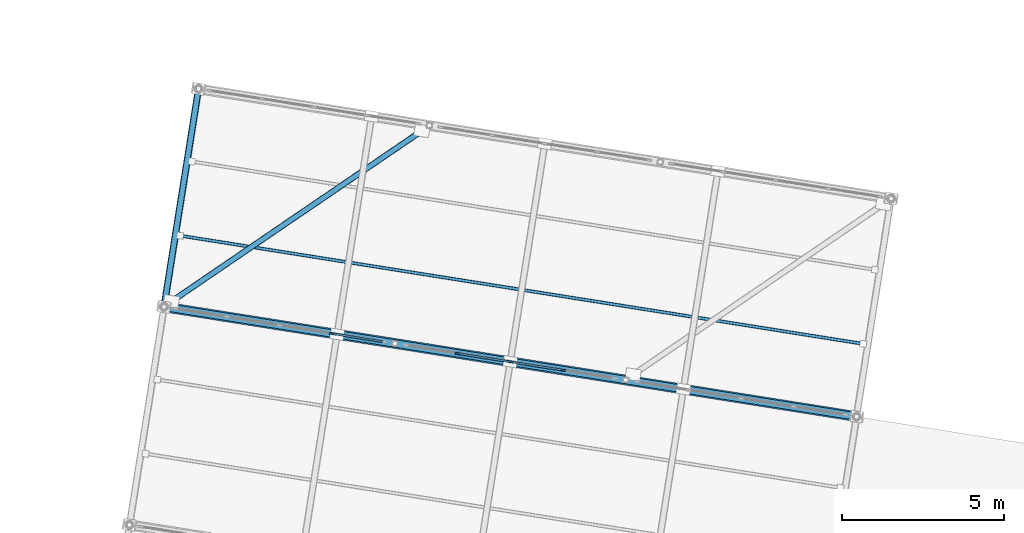
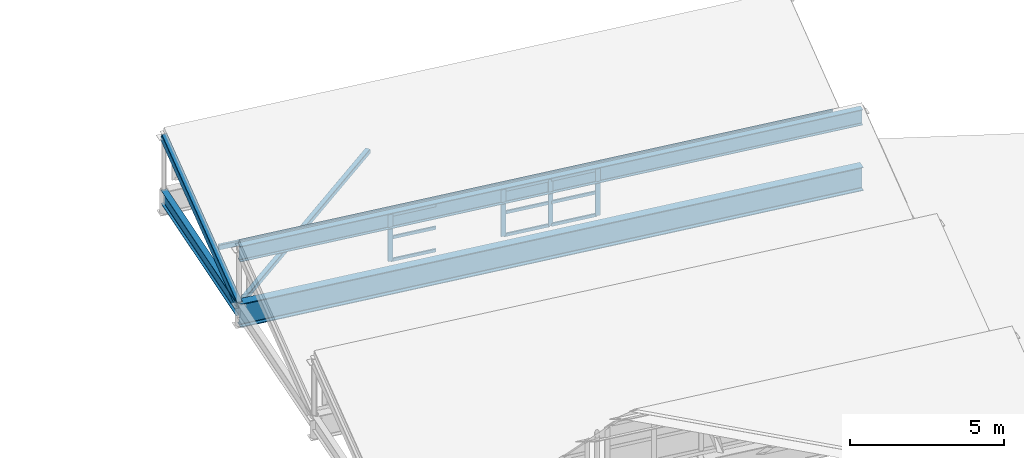
# One storey, part 45 of 65: 16 members, 3 beams, 2 elements without a shape of their own.
"""IFC4 building model written with IfcOpenShell, lengths in metres."""

from ifc_helpers import new_model, si_unit, direction, frame, origin, origin_2d, place, context, subcontext, project, spatial, rectangle, hollow_rectangle, i_section, extrude, material, material_profile, profile_set, type_object, element, aggregate, save


model = new_model("IFC4")

# Units and contexts
model_context = context("Model", 3, precision=1e-05, world=origin(), true_north=direction((0.0, 1.0)))
body_context = subcontext(model_context, "Body", "Model", "MODEL_VIEW")
ifc_project = project(units=[si_unit("LENGTHUNIT", "METRE"), si_unit("AREAUNIT", "SQUARE_METRE"), si_unit("VOLUMEUNIT", "CUBIC_METRE"), si_unit("PLANEANGLEUNIT", "RADIAN"), si_unit("MASSUNIT", "GRAM", prefix="KILO")], contexts=[model_context])

# Site, building, storey
site_placement = place(None, origin())
site = spatial("IfcSite", under=ifc_project, at=site_placement, CompositionType="ELEMENT")
building_placement = place(site_placement, origin())
building = spatial("IfcBuilding", under=site, at=building_placement, Name="Cinderway Yard Community Centre", CompositionType="ELEMENT")
storey_placement = place(building_placement, frame((0.0, 0.0, 24.300048828125)))
storey = spatial("IfcBuildingStorey", under=building, at=storey_placement, Name="RF", CompositionType="ELEMENT", Elevation=24.300048828125)

# Curtain wall, member
ifc_material_1 = material(Name="Aluminium 6063-T6", Category="aluminium")
curtain_wall_type = type_object("IfcCurtainWallType", Name="ENV-CW-TYPE-23", PredefinedType="USERDEFINED", material=ifc_material_1)
curtain_wall_1_placement = place(storey_placement, origin())
curtain_wall_1 = element("IfcCurtainWall", 1, at=curtain_wall_1_placement, inside=storey, type_object=curtain_wall_type, Name="Sawtooth North-Light Clerestory ENV-CW-RF-ST-0084", ObjectType="GLAZED CURTAIN WALL", PredefinedType="USERDEFINED")
ifc_material_profile_1 = material_profile(ifc_material_1, rectangle(XDim=0.06005859375, YDim=0.159912109375, at=origin_2d()), Name="Aluminium 6063-T6")
ifc_profile_set_1 = profile_set([ifc_material_profile_1], Name="Aluminium 6063-T6")
member_type_1 = type_object("IfcMemberType", Name="ENV-CW-MULL-150", PredefinedType="MULLION", material=ifc_profile_set_1)
member_1_placement = place(storey_placement, frame((128.494140625, 70.761474609375, -10.199951171875), z_axis=(0.0, 0.0, 1.0), x_axis=(0.15640876877, 0.987692410142, 0.0)))
member_1 = element("IfcMember", 2, at=member_1_placement, type_object=member_type_1, Name="CW-23 mullion 4", PredefinedType="MULLION", context=body_context, shape_type="SweptSolid", body=[
    extrude(rectangle(XDim=0.06005859375, YDim=0.159912109375, at=origin_2d()), origin(), (0.0, 0.0, 1.0), 1.849853515625),
])

# Curtain wall, members
curtain_wall_2_placement = place(storey_placement, origin())
curtain_wall_2 = element("IfcCurtainWall", 3, at=curtain_wall_2_placement, inside=storey, type_object=curtain_wall_type, Name="Sawtooth North-Light Clerestory ENV-CW-RF-ST-0085", ObjectType="GLAZED CURTAIN WALL", PredefinedType="USERDEFINED")
member_2_placement = place(storey_placement, frame((132.36572265625, 70.1484375, -10.199951171875), z_axis=(0.0, 0.0, 1.0), x_axis=(0.15640876877, 0.987692410142, 0.0)))
member_2 = element("IfcMember", 4, at=member_2_placement, type_object=member_type_1, Name="CW-23 mullion 2", PredefinedType="MULLION", context=body_context, shape_type="SweptSolid", body=[
    extrude(rectangle(XDim=0.06005859375, YDim=0.159912109375, at=origin_2d()), origin(), (0.0, 0.0, 1.0), 1.849853515625),
])
member_3_placement = place(storey_placement, frame((133.985595703125, 69.89208984375, -10.199951171875), z_axis=(0.0, 0.0, 1.0), x_axis=(0.15640876877, 0.987692410142, 0.0)))
member_3 = element("IfcMember", 5, at=member_3_placement, type_object=member_type_1, Name="CW-23 mullion 3", PredefinedType="MULLION", context=body_context, shape_type="SweptSolid", body=[
    extrude(rectangle(XDim=0.06005859375, YDim=0.159912109375, at=origin_2d()), origin(), (0.0, 0.0, 1.0), 1.849853515625),
])
member_4_placement = place(storey_placement, frame((135.605224609375, 69.635498046875, -10.199951171875), z_axis=(0.0, 0.0, 1.0), x_axis=(0.15640876877, 0.987692410142, 0.0)))
member_4 = element("IfcMember", 6, at=member_4_placement, type_object=member_type_1, Name="CW-23 mullion 4", PredefinedType="MULLION", context=body_context, shape_type="SweptSolid", body=[
    extrude(rectangle(XDim=0.06005859375, YDim=0.159912109375, at=origin_2d()), origin(), (0.0, 0.0, 1.0), 1.849853515625),
])

# Member
ifc_material_profile_2 = material_profile(ifc_material_1, rectangle(XDim=0.06005859375, YDim=0.1201171875, at=origin_2d()), Name="Aluminium 6063-T6")
ifc_profile_set_2 = profile_set([ifc_material_profile_2], Name="Aluminium 6063-T6")
member_type_2 = type_object("IfcMemberType", Name="ENV-CW-TRAN-110", PredefinedType="USERDEFINED", material=ifc_profile_set_2)
member_5_placement = place(storey_placement, frame((128.52392578125, 70.7568359375, -10.170166015625), z_axis=(0.987690055006, -0.15642364029, 0.0), x_axis=(0.15642364029, 0.987690055006, 0.0)))
member_5 = element("IfcMember", 7, at=member_5_placement, type_object=member_type_2, Name="CW-23 transom 4.1", ObjectType="TRANSOM", PredefinedType="USERDEFINED", context=body_context, shape_type="SweptSolid", body=[
    extrude(rectangle(XDim=0.06005859375, YDim=0.1201171875, at=origin_2d()), origin(), (0.0, 0.0, 1.0), 1.5498046875),
])

member_6_placement = place(storey_placement, frame((128.52392578125, 70.7568359375, -9.280029296875), z_axis=(0.987690055006, -0.15642364029, 0.0), x_axis=(0.15642364029, 0.987690055006, 0.0)))
member_6 = element("IfcMember", 8, at=member_6_placement, type_object=member_type_2, Name="CW-23 transom 4.2", ObjectType="TRANSOM", PredefinedType="USERDEFINED", context=body_context, shape_type="SweptSolid", body=[
    extrude(rectangle(XDim=0.06005859375, YDim=0.1201171875, at=origin_2d()), origin(), (0.0, 0.0, 1.0), 1.5498046875),
])

member_7_placement = place(storey_placement, frame((128.52392578125, 70.7568359375, -8.380126953125), z_axis=(0.987690055006, -0.15642364029, 0.0), x_axis=(0.15642364029, 0.987690055006, 0.0)))
member_7 = element("IfcMember", 9, at=member_7_placement, type_object=member_type_2, Name="CW-23 transom 4.3", ObjectType="TRANSOM", PredefinedType="USERDEFINED", context=body_context, shape_type="SweptSolid", body=[
    extrude(rectangle(XDim=0.06005859375, YDim=0.1201171875, at=origin_2d()), origin(), (0.0, 0.0, 1.0), 1.5498046875),
])

aggregate(curtain_wall_1, [member_1, member_5, member_6, member_7])

member_8_placement = place(storey_placement, frame((132.395263671875, 70.143798828125, -10.170166015625), z_axis=(0.987697729788, -0.156375172488, 0.0), x_axis=(0.156375172488, 0.987697729788, 0.0)))
member_8 = element("IfcMember", 10, at=member_8_placement, type_object=member_type_2, Name="CW-23 transom 2.1", ObjectType="TRANSOM", PredefinedType="USERDEFINED", context=body_context, shape_type="SweptSolid", body=[
    extrude(rectangle(XDim=0.06005859375, YDim=0.1201171875, at=origin_2d()), origin(), (0.0, 0.0, 1.0), 1.580078125),
])

member_9_placement = place(storey_placement, frame((132.395263671875, 70.143798828125, -9.280029296875), z_axis=(0.987697729788, -0.156375172488, 0.0), x_axis=(0.156375172488, 0.987697729788, 0.0)))
member_9 = element("IfcMember", 11, at=member_9_placement, type_object=member_type_2, Name="CW-23 transom 2.2", ObjectType="TRANSOM", PredefinedType="USERDEFINED", context=body_context, shape_type="SweptSolid", body=[
    extrude(rectangle(XDim=0.06005859375, YDim=0.1201171875, at=origin_2d()), origin(), (0.0, 0.0, 1.0), 1.580078125),
])

member_10_placement = place(storey_placement, frame((132.395263671875, 70.143798828125, -8.380126953125), z_axis=(0.987697729788, -0.156375172488, 0.0), x_axis=(0.156375172488, 0.987697729788, 0.0)))
member_10 = element("IfcMember", 12, at=member_10_placement, type_object=member_type_2, Name="CW-23 transom 2.3", ObjectType="TRANSOM", PredefinedType="USERDEFINED", context=body_context, shape_type="SweptSolid", body=[
    extrude(rectangle(XDim=0.06005859375, YDim=0.1201171875, at=origin_2d()), origin(), (0.0, 0.0, 1.0), 1.580078125),
])

member_11_placement = place(storey_placement, frame((134.01513671875, 69.88720703125, -10.170166015625), z_axis=(0.987697729788, -0.156375172488, 0.0), x_axis=(0.156375172488, 0.987697729788, 0.0)))
member_11 = element("IfcMember", 13, at=member_11_placement, type_object=member_type_2, Name="CW-23 transom 3.1", ObjectType="TRANSOM", PredefinedType="USERDEFINED", context=body_context, shape_type="SweptSolid", body=[
    extrude(rectangle(XDim=0.06005859375, YDim=0.1201171875, at=origin_2d()), origin(), (0.0, 0.0, 1.0), 1.580078125),
])

member_12_placement = place(storey_placement, frame((134.01513671875, 69.88720703125, -9.280029296875), z_axis=(0.987697729788, -0.156375172488, 0.0), x_axis=(0.156375172488, 0.987697729788, 0.0)))
member_12 = element("IfcMember", 14, at=member_12_placement, type_object=member_type_2, Name="CW-23 transom 3.2", ObjectType="TRANSOM", PredefinedType="USERDEFINED", context=body_context, shape_type="SweptSolid", body=[
    extrude(rectangle(XDim=0.06005859375, YDim=0.1201171875, at=origin_2d()), origin(), (0.0, 0.0, 1.0), 1.580078125),
])

member_13_placement = place(storey_placement, frame((134.01513671875, 69.88720703125, -8.380126953125), z_axis=(0.987697729788, -0.156375172488, 0.0), x_axis=(0.156375172488, 0.987697729788, 0.0)))
member_13 = element("IfcMember", 15, at=member_13_placement, type_object=member_type_2, Name="CW-23 transom 3.3", ObjectType="TRANSOM", PredefinedType="USERDEFINED", context=body_context, shape_type="SweptSolid", body=[
    extrude(rectangle(XDim=0.06005859375, YDim=0.1201171875, at=origin_2d()), origin(), (0.0, 0.0, 1.0), 1.580078125),
])

aggregate(curtain_wall_2, [member_2, member_3, member_4, member_8, member_9, member_10, member_11, member_12, member_13])

# Beams
ifc_material_2 = material(Name="Steel S355", Category="steel")
ifc_material_profile_3 = material_profile(ifc_material_2, i_section(OverallWidth=0.2109375, OverallDepth=0.5390625, WebThickness=0.010986328125, FlangeThickness=0.017333984375, FilletRadius=0.013916015625, at=origin_2d()), Name="Steel S355")
ifc_profile_set_3 = profile_set([ifc_material_profile_3], Name="Steel S355")
beam_type_1 = type_object("IfcBeamType", Name="STR-BM-W530X109", PredefinedType="BEAM", material=ifc_profile_set_3)
beam_1_placement = place(storey_placement, frame((123.319091796875, 71.5810546875, -10.77001953125), z_axis=(0.156447383815, 0.987686294376, 0.0), x_axis=(-0.987686294376, 0.156447383815, 0.0)))
element("IfcBeam", 16, at=beam_1_placement, inside=storey, type_object=beam_type_1, Name="Sports eave beam W STR-BM-RF-SB06-1025", PredefinedType="BEAM", context=body_context, shape_type="SweptSolid", body=[
    extrude(i_section(OverallWidth=0.2109375, OverallDepth=0.5390625, WebThickness=0.010986328125, FlangeThickness=0.017333984375, FilletRadius=0.013916015625, at=origin_2d()), origin(), (0.0, 0.0, 1.0), 6.80078125),
])
ifc_material_profile_4 = material_profile(ifc_material_2, i_section(OverallWidth=0.22998046875, OverallDepth=0.616943359375, WebThickness=0.011962890625, FlangeThickness=0.01953125, FilletRadius=0.01611328125, at=origin_2d()), Name="Steel S355")
ifc_profile_set_4 = profile_set([ifc_material_profile_4], Name="Steel S355")
beam_type_2 = type_object("IfcBeamType", Name="STR-BM-W610X140", PredefinedType="BEAM", material=ifc_profile_set_4)
beam_2_placement = place(storey_placement, frame((123.319091796875, 71.5810546875, -8.55810546875), z_axis=(0.987687058599, -0.156442559028, 0.0), x_axis=(0.156442559028, 0.987687058599, 0.0)))
element("IfcBeam", 17, at=beam_2_placement, inside=storey, type_object=beam_type_2, Name="Sawtooth apex girder STR-BM-RF-SB05-1024", PredefinedType="BEAM", context=body_context, shape_type="SweptSolid", body=[
    extrude(i_section(OverallWidth=0.22998046875, OverallDepth=0.616943359375, WebThickness=0.011962890625, FlangeThickness=0.01953125, FilletRadius=0.01611328125, at=origin_2d()), origin(), (0.0, 0.0, 1.0), 21.599853515625),
])
ifc_material_profile_5 = material_profile(ifc_material_2, i_section(OverallWidth=0.30908203125, OverallDepth=0.931884765625, WebThickness=0.017333984375, FlangeThickness=0.030029296875, FilletRadius=0.02392578125, at=origin_2d()), Name="Steel S355")
ifc_profile_set_5 = profile_set([ifc_material_profile_5], Name="Steel S355")
beam_type_3 = type_object("IfcBeamType", Name="STR-BM-W920X313", PredefinedType="BEAM", material=ifc_profile_set_5)
beam_3_placement = place(storey_placement, frame((123.319091796875, 71.5810546875, -10.966064453125), z_axis=(0.987687058599, -0.156442559028, 0.0), x_axis=(0.156442559028, 0.987687058599, 0.0)))
element("IfcBeam", 18, at=beam_3_placement, inside=storey, type_object=beam_type_3, Name="Sports Hall clear-span girder 06", PredefinedType="BEAM", context=body_context, shape_type="SweptSolid", body=[
    extrude(i_section(OverallWidth=0.30908203125, OverallDepth=0.931884765625, WebThickness=0.017333984375, FlangeThickness=0.030029296875, FilletRadius=0.02392578125, at=origin_2d()), origin(), (0.0, 0.0, 1.0), 21.599853515625),
])

# Members
ifc_material_profile_6 = material_profile(ifc_material_2, hollow_rectangle(XDim=0.179931640625, YDim=0.179931640625, WallThickness=0.010009765625, InnerFilletRadius=0.010009765625, OuterFilletRadius=0.02001953125, at=origin_2d()), Name="Steel S355")
ifc_profile_set_6 = profile_set([ifc_material_profile_6], Name="Steel S355")
member_type_3 = type_object("IfcMemberType", Name="STR-MEM-BRACE-180", PredefinedType="BRACE", material=ifc_profile_set_6)
member_14_placement = place(storey_placement, frame((123.548095703125, 71.748046875, -10.60009765625), z_axis=(0.826457397814, 0.56299926252, 0.0), x_axis=(-0.56299926252, 0.826457397814, 0.0)))
element("IfcMember", 19, at=member_14_placement, inside=storey, type_object=member_type_3, Name="Roof plane diagonal brace B6-W", PredefinedType="BRACE", context=body_context, shape_type="SweptSolid", body=[
    extrude(hollow_rectangle(XDim=0.179931640625, YDim=0.179931640625, WallThickness=0.010009765625, InnerFilletRadius=0.010009765625, OuterFilletRadius=0.02001953125, at=origin_2d()), origin(), (0.0, 0.0, 1.0), 9.337158203125),
])
ifc_material_profile_7 = material_profile(ifc_material_2, hollow_rectangle(XDim=0.10009765625, YDim=0.199951171875, WallThickness=0.008056640625, InnerFilletRadius=0.008056640625, OuterFilletRadius=0.01611328125, at=origin_2d()), Name="Steel S355")
ifc_profile_set_7 = profile_set([ifc_material_profile_7], Name="Steel S355")
member_type_4 = type_object("IfcMemberType", Name="STR-MEM-PURLIN-200", PredefinedType="PURLIN", material=ifc_profile_set_7)
member_15_placement = place(storey_placement, frame((123.818115234375, 73.77392578125, -9.843994140625), z_axis=(0.98768859846, -0.156432836938, 0.0), x_axis=(0.156432836938, 0.98768859846, 0.0)))
element("IfcMember", 20, at=member_15_placement, inside=storey, type_object=member_type_4, Name="Sawtooth roof purlin B6-33", PredefinedType="PURLIN", context=body_context, shape_type="SweptSolid", body=[
    extrude(hollow_rectangle(XDim=0.10009765625, YDim=0.199951171875, WallThickness=0.008056640625, InnerFilletRadius=0.008056640625, OuterFilletRadius=0.01611328125, at=origin_2d()), origin(), (0.0, 0.0, 1.0), 21.300048828125),
])
ifc_material_profile_8 = material_profile(ifc_material_2, hollow_rectangle(XDim=0.199951171875, YDim=0.300048828125, WallThickness=0.012451171875, InnerFilletRadius=0.012451171875, OuterFilletRadius=0.02490234375, at=origin_2d()), Name="Steel S355")
ifc_profile_set_8 = profile_set([ifc_material_profile_8], Name="Steel S355")
member_type_5 = type_object("IfcMemberType", Name="STR-MEM-RAFTER-300", PredefinedType="RAFTER", material=ifc_profile_set_8)
member_16_placement = place(storey_placement, frame((123.319091796875, 71.5810546875, -10.6201171875), z_axis=(0.148852944335, 0.939740949398, 0.307781982882), x_axis=(-0.987686294376, 0.156447383815, 0.0)))
element("IfcMember", 21, at=member_16_placement, inside=storey, type_object=member_type_5, Name="Sawtooth raked rafter B6-000", PredefinedType="RAFTER", context=body_context, shape_type="SweptSolid", body=[
    extrude(hollow_rectangle(XDim=0.199951171875, YDim=0.300048828125, WallThickness=0.012451171875, InnerFilletRadius=0.012451171875, OuterFilletRadius=0.02490234375, at=origin_2d()), origin(), (0.0, 0.0, 1.0), 7.147705078125),
])

save(model, "model.ifc")
